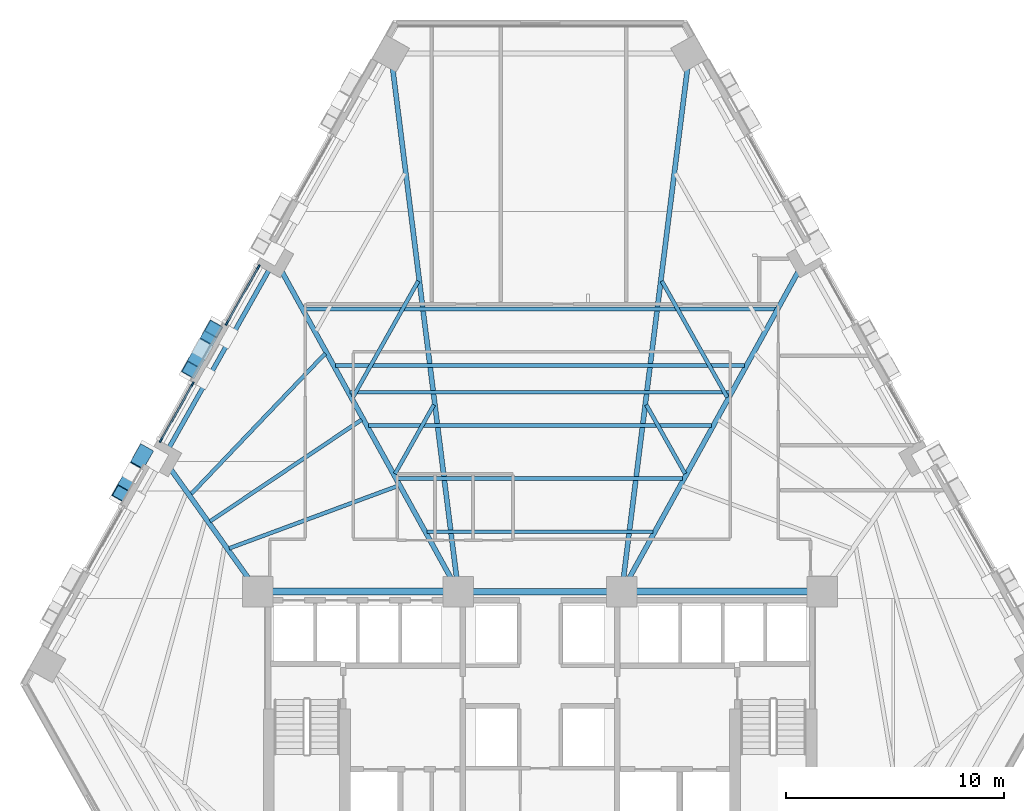
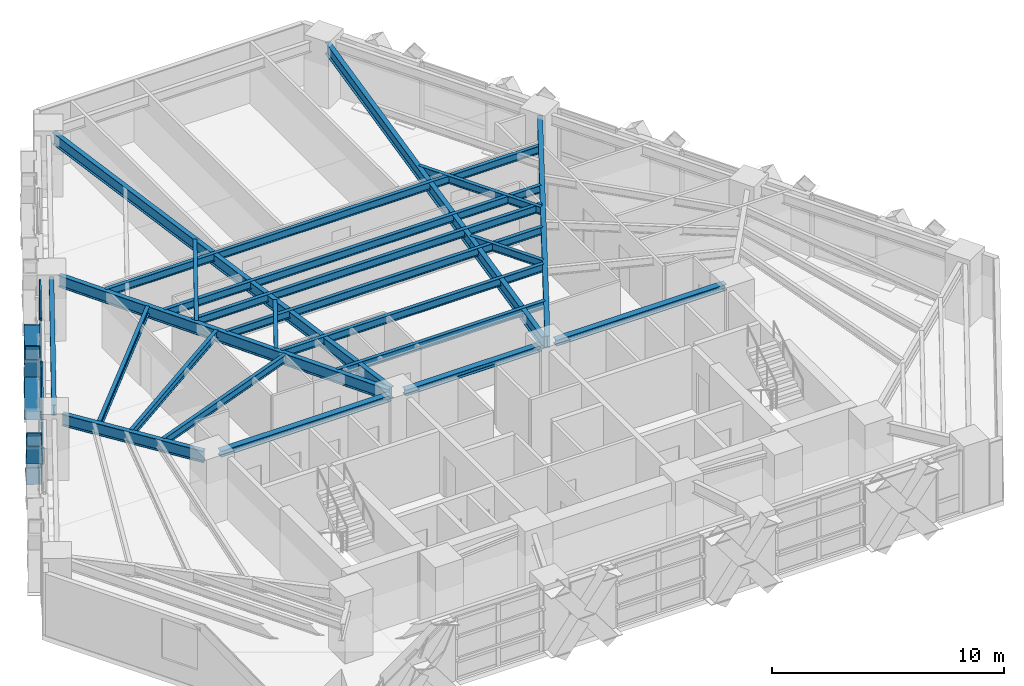
# One storey, part 3 of 13: 22 beams, 15 members, 2 elements without a shape of their own.
"""IFC4 building model written with IfcOpenShell, lengths in metres."""

from ifc_helpers import new_model, si_unit, direction, frame, origin, origin_2d, place, context, subcontext, project, spatial, rectangle, hollow_rectangle, i_section, extrude, material, material_profile, profile_set, type_object, element, aggregate, save


model = new_model("IFC4")

# Units and contexts
model_context = context("Model", 3, precision=1e-05, world=origin(), true_north=direction((0.0, 1.0)))
body_context = subcontext(model_context, "Body", "Model", "MODEL_VIEW")
ifc_project = project(units=[si_unit("LENGTHUNIT", "METRE"), si_unit("AREAUNIT", "SQUARE_METRE"), si_unit("VOLUMEUNIT", "CUBIC_METRE"), si_unit("PLANEANGLEUNIT", "RADIAN"), si_unit("MASSUNIT", "GRAM", prefix="KILO")], contexts=[model_context])

# Site, building, storey
site_placement = place(None, origin())
site = spatial("IfcSite", under=ifc_project, at=site_placement, CompositionType="ELEMENT")
building_placement = place(site_placement, origin())
building = spatial("IfcBuilding", under=site, at=building_placement, Name="Quenlor Broadcast Tower", CompositionType="ELEMENT")
storey_placement = place(building_placement, frame((0.0, 0.0, 31.10009765625)))
storey = spatial("IfcBuildingStorey", under=building, at=storey_placement, Name="L07", CompositionType="ELEMENT", Elevation=31.10009765625)

# Curtain wall, members
ifc_material_1 = material(Name="Architectural Terracotta and Low-E Glazing", Category="masonry")
curtain_wall_type = type_object("IfcCurtainWallType", Name="Unitised Terracotta Curtain Wall System Z1", PredefinedType="NOTDEFINED", material=ifc_material_1)
curtain_wall_1_placement = place(storey_placement, origin())
curtain_wall_1 = element("IfcCurtainWall", 1, at=curtain_wall_1_placement, inside=storey, type_object=curtain_wall_type, Name="L07 Curtain Wall CW1 (L07-NW-G1)", PredefinedType="NOTDEFINED")
ifc_material_2 = material(Name="Aluminium 6063-T6", Category="aluminium")
ifc_material_profile_1 = material_profile(ifc_material_2, rectangle(XDim=0.080078125, YDim=0.219970703125, at=origin_2d()))
ifc_profile_set_1 = profile_set([ifc_material_profile_1], Name="Aluminium 6063-T6 MULL80x220")
member_type_1 = type_object("IfcMemberType", Name="CW1 Aluminium Mullion MULL_CW1", PredefinedType="MULLION", material=ifc_profile_set_1)
member_1_placement = place(storey_placement, frame((-17.39501953125, 2.149169921875, 0.0), z_axis=(0.0, 0.0, 1.0), x_axis=(-0.871568481465, 0.490273782815, 0.0)))
member_1 = element("IfcMember", 2, at=member_1_placement, type_object=member_type_1, Name="CW1 mullion 1", PredefinedType="MULLION", context=body_context, shape_type="SweptSolid", body=[
    extrude(rectangle(XDim=0.080078125, YDim=0.219970703125, at=origin_2d()), origin(), (0.0, 0.0, 1.0), 3.25),
])
member_2_placement = place(storey_placement, frame((-15.94970703125, 4.718505859375, 0.0), z_axis=(0.0, 0.0, 1.0), x_axis=(-0.871568481465, 0.490273782815, 0.0)))
member_2 = element("IfcMember", 3, at=member_2_placement, type_object=member_type_1, Name="CW1 mullion 2", PredefinedType="MULLION", context=body_context, shape_type="SweptSolid", body=[
    extrude(rectangle(XDim=0.080078125, YDim=0.219970703125, at=origin_2d()), origin(), (0.0, 0.0, 1.0), 3.25),
])

curtain_wall_2_placement = place(storey_placement, origin())
curtain_wall_2 = element("IfcCurtainWall", 4, at=curtain_wall_2_placement, inside=storey, type_object=curtain_wall_type, Name="L07 Curtain Wall CW1 (L07-NW-G2)", PredefinedType="NOTDEFINED")
member_3_placement = place(storey_placement, frame((-14.371337890625, 7.524658203125, 0.0), z_axis=(0.0, 0.0, 1.0), x_axis=(-0.871568481465, 0.490273782815, 0.0)))
member_3 = element("IfcMember", 5, at=member_3_placement, type_object=member_type_1, Name="CW1 mullion 1", PredefinedType="MULLION", context=body_context, shape_type="SweptSolid", body=[
    extrude(rectangle(XDim=0.080078125, YDim=0.219970703125, at=origin_2d()), origin(), (0.0, 0.0, 1.0), 3.25),
])
member_4_placement = place(storey_placement, frame((-12.926025390625, 10.09423828125, 0.0), z_axis=(0.0, 0.0, 1.0), x_axis=(-0.871568481465, 0.490273782815, 0.0)))
member_4 = element("IfcMember", 6, at=member_4_placement, type_object=member_type_1, Name="CW1 mullion 2", PredefinedType="MULLION", context=body_context, shape_type="SweptSolid", body=[
    extrude(rectangle(XDim=0.080078125, YDim=0.219970703125, at=origin_2d()), origin(), (0.0, 0.0, 1.0), 3.25),
])

# Member
ifc_material_3 = material(Name="Aluminium 6063-T6", Category="aluminium")
ifc_material_profile_2 = material_profile(ifc_material_3, rectangle(XDim=0.080078125, YDim=0.179931640625, at=origin_2d()))
ifc_profile_set_2 = profile_set([ifc_material_profile_2], Name="Aluminium 6063-T6 TRAN80x180")
member_type_2 = type_object("IfcMemberType", Name="CW1 Aluminium Transom TRAN_CW1", PredefinedType="USERDEFINED", material=ifc_profile_set_2)
member_5_placement = place(storey_placement, frame((-17.37548828125, 2.183837890625, 0.039794921875), z_axis=(0.490297611432, 0.871555076988, 0.0), x_axis=(-0.871555076988, 0.490297611432, 0.0)))
member_5 = element("IfcMember", 7, at=member_5_placement, type_object=member_type_2, Name="CW1 transom 1.1", ObjectType="TRANSOM", PredefinedType="USERDEFINED", context=body_context, shape_type="SweptSolid", body=[
    extrude(rectangle(XDim=0.080078125, YDim=0.179931640625, at=origin_2d()), origin(), (0.0, 0.0, 1.0), 2.8681640625),
])

member_6_placement = place(storey_placement, frame((-17.37548828125, 2.183837890625, 0.949951171875), z_axis=(0.490297611432, 0.871555076988, 0.0), x_axis=(-0.871555076988, 0.490297611432, 0.0)))
member_6 = element("IfcMember", 8, at=member_6_placement, type_object=member_type_2, Name="CW1 transom 1.2", ObjectType="TRANSOM", PredefinedType="USERDEFINED", context=body_context, shape_type="SweptSolid", body=[
    extrude(rectangle(XDim=0.080078125, YDim=0.179931640625, at=origin_2d()), origin(), (0.0, 0.0, 1.0), 2.8681640625),
])

member_7_placement = place(storey_placement, frame((-17.37548828125, 2.183837890625, 3.2099609375), z_axis=(0.490297611432, 0.871555076988, 0.0), x_axis=(-0.871555076988, 0.490297611432, 0.0)))
member_7 = element("IfcMember", 9, at=member_7_placement, type_object=member_type_2, Name="CW1 transom 1.3", ObjectType="TRANSOM", PredefinedType="USERDEFINED", context=body_context, shape_type="SweptSolid", body=[
    extrude(rectangle(XDim=0.080078125, YDim=0.179931640625, at=origin_2d()), origin(), (0.0, 0.0, 1.0), 2.8681640625),
])

aggregate(curtain_wall_1, [member_1, member_2, member_5, member_6, member_7])

member_8_placement = place(storey_placement, frame((-14.3515625, 7.5595703125, 0.039794921875), z_axis=(0.490232948684, 0.871591450179, 0.0), x_axis=(-0.871591450179, 0.490232948684, 0.0)))
member_8 = element("IfcMember", 10, at=member_8_placement, type_object=member_type_2, Name="CW1 transom 1.1", ObjectType="TRANSOM", PredefinedType="USERDEFINED", context=body_context, shape_type="SweptSolid", body=[
    extrude(rectangle(XDim=0.080078125, YDim=0.179931640625, at=origin_2d()), origin(), (0.0, 0.0, 1.0), 2.867919921875),
])

member_9_placement = place(storey_placement, frame((-14.3515625, 7.5595703125, 0.949951171875), z_axis=(0.490232948684, 0.871591450179, 0.0), x_axis=(-0.871591450179, 0.490232948684, 0.0)))
member_9 = element("IfcMember", 11, at=member_9_placement, type_object=member_type_2, Name="CW1 transom 1.2", ObjectType="TRANSOM", PredefinedType="USERDEFINED", context=body_context, shape_type="SweptSolid", body=[
    extrude(rectangle(XDim=0.080078125, YDim=0.179931640625, at=origin_2d()), origin(), (0.0, 0.0, 1.0), 2.867919921875),
])

member_10_placement = place(storey_placement, frame((-14.3515625, 7.5595703125, 3.2099609375), z_axis=(0.490232948684, 0.871591450179, 0.0), x_axis=(-0.871591450179, 0.490232948684, 0.0)))
member_10 = element("IfcMember", 12, at=member_10_placement, type_object=member_type_2, Name="CW1 transom 1.3", ObjectType="TRANSOM", PredefinedType="USERDEFINED", context=body_context, shape_type="SweptSolid", body=[
    extrude(rectangle(XDim=0.080078125, YDim=0.179931640625, at=origin_2d()), origin(), (0.0, 0.0, 1.0), 2.867919921875),
])

aggregate(curtain_wall_2, [member_3, member_4, member_8, member_9, member_10])

# Beams
ifc_material_4 = material(Name="Steel S355", Category="steel")
ifc_material_profile_3 = material_profile(ifc_material_4, i_section(OverallWidth=0.304931640625, OverallDepth=0.30810546875, WebThickness=0.010009765625, FlangeThickness=0.015380859375, FilletRadius=0.0166015625, at=origin_2d()))
ifc_profile_set_3 = profile_set([ifc_material_profile_3], Name="Steel S355 310UC96.8")
beam_type_1 = type_object("IfcBeamType", Name="Core Header Beam Steel S355 310UC96.8", PredefinedType="BEAM", material=ifc_profile_set_3)
beam_1_placement = place(storey_placement, frame((-3.389892578125, -4.800048828125, 3.095947265625), z_axis=(1.0, 0.0, 0.0), x_axis=(0.0, 1.0, 0.0)))
element("IfcBeam", 13, at=beam_1_placement, inside=storey, type_object=beam_type_1, Name="L07 Core Header Beam 2", PredefinedType="BEAM", context=body_context, shape_type="SweptSolid", body=[
    extrude(i_section(OverallWidth=0.304931640625, OverallDepth=0.30810546875, WebThickness=0.010009765625, FlangeThickness=0.015380859375, FilletRadius=0.0166015625, at=origin_2d()), origin(), (0.0, 0.0, 1.0), 6.77978515625),
])
ifc_material_5 = material(Name="Steel S355", Category="steel")
ifc_material_profile_4 = material_profile(ifc_material_5, i_section(OverallWidth=0.306884765625, OverallDepth=0.314697265625, WebThickness=0.011962890625, FlangeThickness=0.018798828125, FilletRadius=0.0166015625, at=origin_2d()))
ifc_profile_set_4 = profile_set([ifc_material_profile_4], Name="Steel S355 310UC118")
beam_type_2 = type_object("IfcBeamType", Name="Core Tie Beam Steel S355 310UC118", PredefinedType="BEAM", material=ifc_profile_set_4)
for number, where, z_axis, x_axis, name in (
    (14, (-12.590087890625, -4.800048828125, 3.092529296875), (1.0, 0.0, 0.0), (0.0, 1.0, 0.0), "L07 Core Tie Beam 1"),
    (15, (4.110107421875, -4.800048828125, 3.092529296875), (1.0, 0.0, 0.0), (0.0, 1.0, 0.0), "L07 Core Tie Beam 3"),
):
    element("IfcBeam", number, at=place(storey_placement, frame(where, z_axis=z_axis, x_axis=x_axis)), inside=storey, type_object=beam_type_2, Name=name, PredefinedType="BEAM", context=body_context, shape_type="SweptSolid", body=[
        extrude(i_section(OverallWidth=0.306884765625, OverallDepth=0.314697265625, WebThickness=0.011962890625, FlangeThickness=0.018798828125, FilletRadius=0.0166015625, at=origin_2d()), origin(), (0.0, 0.0, 1.0), 8.47998046875),
    ])

# Members
ifc_material_6 = material(Name="Steel S355", Category="steel")
ifc_material_profile_5 = material_profile(ifc_material_6, hollow_rectangle(XDim=0.679931640625, YDim=0.679931640625, WallThickness=0.034912109375, at=origin_2d()))
ifc_profile_set_5 = profile_set([ifc_material_profile_5], Name="Steel S355 RHS680x680x35")
member_type_3 = type_object("IfcMemberType", Name="Perimeter Diagonal Lattice Brace Z1 Steel S355 RHS680x35", PredefinedType="BRACE", material=ifc_profile_set_5)
member_11_placement = place(storey_placement, frame((-18.175048828125, 1.56787109375, -0.1201171875), z_axis=(-0.256451721554, -0.455763724789, 0.852356698618), x_axis=(0.871506382136, -0.490384161547, 0.0)))
element("IfcMember", 16, at=member_11_placement, inside=storey, type_object=member_type_3, Name="L07 Perimeter Diamond Lattice NW-C2XB1", PredefinedType="BRACE", context=body_context, shape_type="SweptSolid", body=[
    extrude(hollow_rectangle(XDim=0.679931640625, YDim=0.679931640625, WallThickness=0.034912109375, at=origin_2d()), origin(), (0.0, 0.0, 1.0), 1.802978515625),
])
member_12_placement = place(storey_placement, frame((-18.765625, 0.518310546875, 1.843017578125), z_axis=(-0.256435894674, -0.455870991217, 0.852304095549), x_axis=(0.871568623966, -0.49027352949, 0.0)))
element("IfcMember", 17, at=member_12_placement, inside=storey, type_object=member_type_3, Name="L07 Perimeter Diamond Lattice NW-C2XB2", PredefinedType="BRACE", context=body_context, shape_type="SweptSolid", body=[
    extrude(hollow_rectangle(XDim=0.679931640625, YDim=0.679931640625, WallThickness=0.034912109375, at=origin_2d()), origin(), (0.0, 0.0, 1.0), 1.80322265625),
])
member_13_placement = place(storey_placement, frame((-16.03125, 5.37939453125, -0.1201171875), z_axis=(0.256368393635, 0.455838699906, 0.852341672343), x_axis=(-0.871608931644, 0.490201866865, 0.0)))
element("IfcMember", 18, at=member_13_placement, inside=storey, type_object=member_type_3, Name="L07 Perimeter Diamond Lattice NW-C3XA", PredefinedType="BRACE", context=body_context, shape_type="SweptSolid", body=[
    extrude(hollow_rectangle(XDim=0.679931640625, YDim=0.679931640625, WallThickness=0.034912109375, at=origin_2d()), origin(), (0.0, 0.0, 1.0), 4.1064453125),
])
for number, where, z_axis, x_axis, name in (
    (19, (-14.978515625, 7.251220703125, -0.1201171875), (-0.256309397679, -0.455886815629, 0.852333681135), (0.871679226863, -0.490076856683, 0.0), "L07 Perimeter Diamond Lattice NW-C3XB1"),
    (20, (-15.56884765625, 6.201416015625, 1.843017578125), (-0.256435894674, -0.455870991217, 0.852304095549), (0.871568623966, -0.49027352949, 0.0), "L07 Perimeter Diamond Lattice NW-C3XB2"),
):
    element("IfcMember", number, at=place(storey_placement, frame(where, z_axis=z_axis, x_axis=x_axis)), inside=storey, type_object=member_type_3, Name=name, PredefinedType="BRACE", context=body_context, shape_type="SweptSolid", body=[
        extrude(hollow_rectangle(XDim=0.679931640625, YDim=0.679931640625, WallThickness=0.034912109375, at=origin_2d()), origin(), (0.0, 0.0, 1.0), 1.80322265625),
    ])

# Beams
ifc_material_7 = material(Name="Steel S355", Category="steel")
ifc_material_profile_6 = material_profile(ifc_material_7, i_section(OverallWidth=0.208984375, OverallDepth=0.532958984375, WebThickness=0.01025390625, FlangeThickness=0.015625, FilletRadius=0.013916015625, at=origin_2d()))
ifc_profile_set_6 = profile_set([ifc_material_profile_6], Name="Steel S355 530UB92.4")
beam_type_3 = type_object("IfcBeamType", Name="Perimeter Spandrel Beam Z1 Steel S355 530UB92.4", PredefinedType="SPANDREL", material=ifc_profile_set_6)
beam_2_placement = place(storey_placement, frame((-12.364013671875, 10.093505859375, 2.9833984375), z_axis=(-0.490257642051, -0.871577560755, 0.0), x_axis=(0.871577560755, -0.490257642051, 0.0)))
element("IfcBeam", 21, at=beam_2_placement, inside=storey, type_object=beam_type_3, Name="L07 Spandrel Beam NW2-NW3", PredefinedType="SPANDREL", context=body_context, shape_type="SweptSolid", body=[
    extrude(i_section(OverallWidth=0.208984375, OverallDepth=0.532958984375, WebThickness=0.01025390625, FlangeThickness=0.015625, FilletRadius=0.013916015625, at=origin_2d()), origin(), (0.0, 0.0, 1.0), 9.665771484375),
])
ifc_material_8 = material(Name="Steel S355", Category="steel")
ifc_material_profile_7 = material_profile(ifc_material_8, i_section(OverallWidth=0.177978515625, OverallDepth=0.406494140625, WebThickness=0.0078125, FlangeThickness=0.0126953125, FilletRadius=0.011474609375, at=origin_2d()))
ifc_profile_set_7 = profile_set([ifc_material_profile_7], Name="Steel S355 410UB59.7")
beam_type_4 = type_object("IfcBeamType", Name="Tower Composite Joist Z1 Steel S355 410UB59.7", PredefinedType="JOIST", material=ifc_profile_set_7)
beam_3_placement = place(storey_placement, frame((-5.184326171875, -2.0546875, 3.046630859375), z_axis=(1.0, 0.0, 0.0), x_axis=(0.0, 1.0, 0.0)))
element("IfcBeam", 22, at=beam_3_placement, inside=storey, type_object=beam_type_4, Name="L07 Secondary Composite Joist 1", PredefinedType="JOIST", context=body_context, shape_type="SweptSolid", body=[
    extrude(i_section(OverallWidth=0.177978515625, OverallDepth=0.406494140625, WebThickness=0.0078125, FlangeThickness=0.0126953125, FilletRadius=0.011474609375, at=origin_2d()), origin(), (0.0, 0.0, 1.0), 10.36865234375),
])
beam_4_placement = place(storey_placement, frame((-8.718017578125, 4.3505859375, 3.046630859375), z_axis=(1.0, 0.0, 0.0), x_axis=(0.0, 1.0, 0.0)))
element("IfcBeam", 23, at=beam_4_placement, inside=storey, type_object=beam_type_4, Name="L07 Secondary Composite Joist 2", PredefinedType="JOIST", context=body_context, shape_type="SweptSolid", body=[
    extrude(i_section(OverallWidth=0.177978515625, OverallDepth=0.406494140625, WebThickness=0.0078125, FlangeThickness=0.0126953125, FilletRadius=0.011474609375, at=origin_2d()), origin(), (0.0, 0.0, 1.0), 17.43603515625),
])
beam_5_placement = place(storey_placement, frame((-6.530517578125, 0.38525390625, 3.046630859375), z_axis=(1.0, 0.0, 0.0), x_axis=(0.0, 1.0, 0.0)))
element("IfcBeam", 24, at=beam_5_placement, inside=storey, type_object=beam_type_4, Name="L07 Secondary Composite Joist 3", PredefinedType="JOIST", context=body_context, shape_type="SweptSolid", body=[
    extrude(i_section(OverallWidth=0.177978515625, OverallDepth=0.406494140625, WebThickness=0.0078125, FlangeThickness=0.0126953125, FilletRadius=0.011474609375, at=origin_2d()), origin(), (0.0, 0.0, 1.0), 13.06103515625),
])
beam_6_placement = place(storey_placement, frame((-7.87646484375, 2.825439453125, 3.046630859375), z_axis=(1.0, 0.0, 0.0), x_axis=(0.0, 1.0, 0.0)))
element("IfcBeam", 25, at=beam_6_placement, inside=storey, type_object=beam_type_4, Name="L07 Secondary Composite Joist 4", PredefinedType="JOIST", context=body_context, shape_type="SweptSolid", body=[
    extrude(i_section(OverallWidth=0.177978515625, OverallDepth=0.406494140625, WebThickness=0.0078125, FlangeThickness=0.0126953125, FilletRadius=0.011474609375, at=origin_2d()), origin(), (0.0, 0.0, 1.0), 15.7529296875),
])
beam_7_placement = place(storey_placement, frame((-9.390869140625, 5.570556640625, 3.046630859375), z_axis=(1.0, 0.0, 0.0), x_axis=(0.0, 1.0, 0.0)))
element("IfcBeam", 26, at=beam_7_placement, inside=storey, type_object=beam_type_4, Name="L07 Secondary Composite Joist 5", PredefinedType="JOIST", context=body_context, shape_type="SweptSolid", body=[
    extrude(i_section(OverallWidth=0.177978515625, OverallDepth=0.406494140625, WebThickness=0.0078125, FlangeThickness=0.0126953125, FilletRadius=0.011474609375, at=origin_2d()), origin(), (0.0, 0.0, 1.0), 18.78173828125),
])
beam_8_placement = place(storey_placement, frame((-10.821044921875, 8.163330078125, 3.046630859375), z_axis=(1.0, 0.0, 0.0), x_axis=(0.0, 1.0, 0.0)))
element("IfcBeam", 27, at=beam_8_placement, inside=storey, type_object=beam_type_4, Name="L07 Secondary Composite Joist 6", PredefinedType="JOIST", context=body_context, shape_type="SweptSolid", body=[
    extrude(i_section(OverallWidth=0.177978515625, OverallDepth=0.406494140625, WebThickness=0.0078125, FlangeThickness=0.0126953125, FilletRadius=0.011474609375, at=origin_2d()), origin(), (0.0, 0.0, 1.0), 21.64208984375),
])
beam_9_placement = place(storey_placement, frame((-14.268310546875, -2.81640625, 3.046630859375), z_axis=(0.937824633945, 0.347109429383, 0.0), x_axis=(-0.347109429383, 0.937824633945, 0.0)))
element("IfcBeam", 28, at=beam_9_placement, inside=storey, type_object=beam_type_4, Name="L07 Secondary Composite Joist 7", PredefinedType="JOIST", context=body_context, shape_type="SweptSolid", body=[
    extrude(i_section(OverallWidth=0.177978515625, OverallDepth=0.406494140625, WebThickness=0.0078125, FlangeThickness=0.0126953125, FilletRadius=0.011474609375, at=origin_2d()), origin(), (0.0, 0.0, 1.0), 8.26513671875),
])
beam_10_placement = place(storey_placement, frame((-15.147705078125, -1.577392578125, 3.046630859375), z_axis=(0.830625844363, 0.556830949819, 0.0), x_axis=(-0.556830949819, 0.830625844363, 0.0)))
element("IfcBeam", 29, at=beam_10_placement, inside=storey, type_object=beam_type_4, Name="L07 Secondary Composite Joist 8", PredefinedType="JOIST", context=body_context, shape_type="SweptSolid", body=[
    extrude(i_section(OverallWidth=0.177978515625, OverallDepth=0.406494140625, WebThickness=0.0078125, FlangeThickness=0.0126953125, FilletRadius=0.011474609375, at=origin_2d()), origin(), (0.0, 0.0, 1.0), 8.374755859375),
])
beam_11_placement = place(storey_placement, frame((-16.029541015625, -0.341796875, 3.046630859375), z_axis=(0.690241086162, 0.723579465556, 0.0), x_axis=(-0.723579465556, 0.690241086162, 0.0)))
element("IfcBeam", 30, at=beam_11_placement, inside=storey, type_object=beam_type_4, Name="L07 Secondary Composite Joist 9", PredefinedType="JOIST", context=body_context, shape_type="SweptSolid", body=[
    extrude(i_section(OverallWidth=0.177978515625, OverallDepth=0.406494140625, WebThickness=0.0078125, FlangeThickness=0.0126953125, FilletRadius=0.011474609375, at=origin_2d()), origin(), (0.0, 0.0, 1.0), 8.93408203125),
])
beam_12_placement = place(storey_placement, frame((-4.87451171875, 3.7734375, 3.046630859375), z_axis=(-0.490286766726, -0.871561177642, 0.0), x_axis=(0.871561177642, -0.490286766726, 0.0)))
element("IfcBeam", 31, at=beam_12_placement, inside=storey, type_object=beam_type_4, Name="L07 Secondary Composite Joist 25", PredefinedType="JOIST", context=body_context, shape_type="SweptSolid", body=[
    extrude(i_section(OverallWidth=0.177978515625, OverallDepth=0.406494140625, WebThickness=0.0078125, FlangeThickness=0.0126953125, FilletRadius=0.011474609375, at=origin_2d()), origin(), (0.0, 0.0, 1.0), 3.632568359375),
])
beam_13_placement = place(storey_placement, frame((-5.587646484375, 9.453125, 3.046630859375), z_axis=(-0.490276380443, -0.871567020246, 0.0), x_axis=(0.871567020246, -0.490276380443, 0.0)))
element("IfcBeam", 32, at=beam_13_placement, inside=storey, type_object=beam_type_4, Name="L07 Secondary Composite Joist 26", PredefinedType="JOIST", context=body_context, shape_type="SweptSolid", body=[
    extrude(i_section(OverallWidth=0.177978515625, OverallDepth=0.406494140625, WebThickness=0.0078125, FlangeThickness=0.0126953125, FilletRadius=0.011474609375, at=origin_2d()), origin(), (0.0, 0.0, 1.0), 6.12451171875),
])
beam_14_placement = place(storey_placement, frame((4.87451171875, 3.7734375, 3.046630859375), z_axis=(0.490286766726, -0.871561177642, 0.0), x_axis=(0.871561177642, 0.490286766726, 0.0)))
element("IfcBeam", 33, at=beam_14_placement, inside=storey, type_object=beam_type_4, Name="L07 Secondary Composite Joist 28", PredefinedType="JOIST", context=body_context, shape_type="SweptSolid", body=[
    extrude(i_section(OverallWidth=0.177978515625, OverallDepth=0.406494140625, WebThickness=0.0078125, FlangeThickness=0.0126953125, FilletRadius=0.011474609375, at=origin_2d()), origin(), (0.0, 0.0, 1.0), 3.632568359375),
])
beam_15_placement = place(storey_placement, frame((5.587646484375, 9.453125, 3.046630859375), z_axis=(0.490276380443, -0.871567020246, 0.0), x_axis=(0.871567020246, 0.490276380443, 0.0)))
element("IfcBeam", 34, at=beam_15_placement, inside=storey, type_object=beam_type_4, Name="L07 Secondary Composite Joist 29", PredefinedType="JOIST", context=body_context, shape_type="SweptSolid", body=[
    extrude(i_section(OverallWidth=0.177978515625, OverallDepth=0.406494140625, WebThickness=0.0078125, FlangeThickness=0.0126953125, FilletRadius=0.011474609375, at=origin_2d()), origin(), (0.0, 0.0, 1.0), 6.12451171875),
])
ifc_material_9 = material(Name="Steel S355", Category="steel")
ifc_material_profile_8 = material_profile(ifc_material_9, i_section(OverallWidth=0.22900390625, OverallDepth=0.611572265625, WebThickness=0.011962890625, FlangeThickness=0.01953125, FilletRadius=0.013916015625, at=origin_2d()))
ifc_profile_set_8 = profile_set([ifc_material_profile_8], Name="Steel S355 610UB125")
beam_type_5 = type_object("IfcBeamType", Name="Tower Primary Floor Beam Z1 Steel S355 610UB125", PredefinedType="BEAM", material=ifc_profile_set_8)
beam_16_placement = place(storey_placement, frame((11.965087890625, 10.091796875, 2.944091796875), z_axis=(-0.483026493693, -0.875605736842, 0.0), x_axis=(0.875605736842, -0.483026493693, 0.0)))
element("IfcBeam", 35, at=beam_16_placement, inside=storey, type_object=beam_type_5, Name="L07 Primary Radial Beam NE3", PredefinedType="BEAM", context=body_context, shape_type="SweptSolid", body=[
    extrude(i_section(OverallWidth=0.22900390625, OverallDepth=0.611572265625, WebThickness=0.011962890625, FlangeThickness=0.01953125, FilletRadius=0.013916015625, at=origin_2d()), origin(), (0.0, 0.0, 1.0), 16.62744140625),
])
for number, where, z_axis, x_axis, name in (
    (36, (6.7998046875, 19.48779296875, 2.944091796875), (-0.124589575762, -0.99220836401, 0.0), (0.99220836401, -0.124589575762, 0.0), "L07 Primary Radial Beam NE4"),
    (37, (-6.7998046875, 19.48779296875, 2.944091796875), (0.124589575762, -0.99220836401, 0.0), (0.99220836401, 0.124589575762, 0.0), "L07 Primary Radial Beam NW1"),
):
    element("IfcBeam", number, at=place(storey_placement, frame(where, z_axis=z_axis, x_axis=x_axis)), inside=storey, type_object=beam_type_5, Name=name, PredefinedType="BEAM", context=body_context, shape_type="SweptSolid", body=[
        extrude(i_section(OverallWidth=0.22900390625, OverallDepth=0.611572265625, WebThickness=0.011962890625, FlangeThickness=0.01953125, FilletRadius=0.013916015625, at=origin_2d()), origin(), (0.0, 0.0, 1.0), 24.0986328125),
    ])
beam_17_placement = place(storey_placement, frame((-11.965087890625, 10.091796875, 2.944091796875), z_axis=(0.483026493693, -0.875605736842, 0.0), x_axis=(0.875605736842, 0.483026493693, 0.0)))
element("IfcBeam", 38, at=beam_17_placement, inside=storey, type_object=beam_type_5, Name="L07 Primary Radial Beam NW2", PredefinedType="BEAM", context=body_context, shape_type="SweptSolid", body=[
    extrude(i_section(OverallWidth=0.22900390625, OverallDepth=0.611572265625, WebThickness=0.011962890625, FlangeThickness=0.01953125, FilletRadius=0.013916015625, at=origin_2d()), origin(), (0.0, 0.0, 1.0), 16.62744140625),
])
beam_18_placement = place(storey_placement, frame((-17.06591796875, 0.977783203125, 2.944091796875), z_axis=(0.580212680853, -0.814465005373, 0.0), x_axis=(0.814465005373, 0.580212680853, 0.0)))
element("IfcBeam", 39, at=beam_18_placement, inside=storey, type_object=beam_type_5, Name="L07 Primary Radial Beam NW3", PredefinedType="BEAM", context=body_context, shape_type="SweptSolid", body=[
    extrude(i_section(OverallWidth=0.22900390625, OverallDepth=0.611572265625, WebThickness=0.011962890625, FlangeThickness=0.01953125, FilletRadius=0.013916015625, at=origin_2d()), origin(), (0.0, 0.0, 1.0), 6.7138671875),
])

save(model, "model.ifc")
